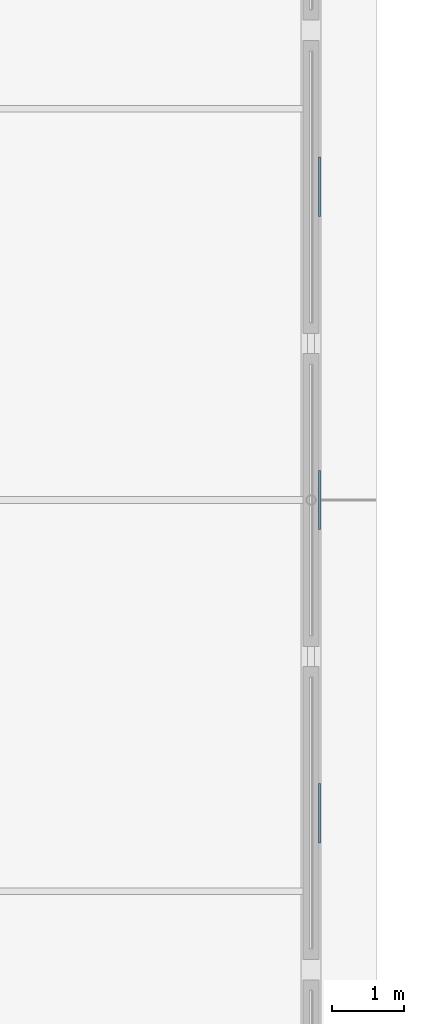
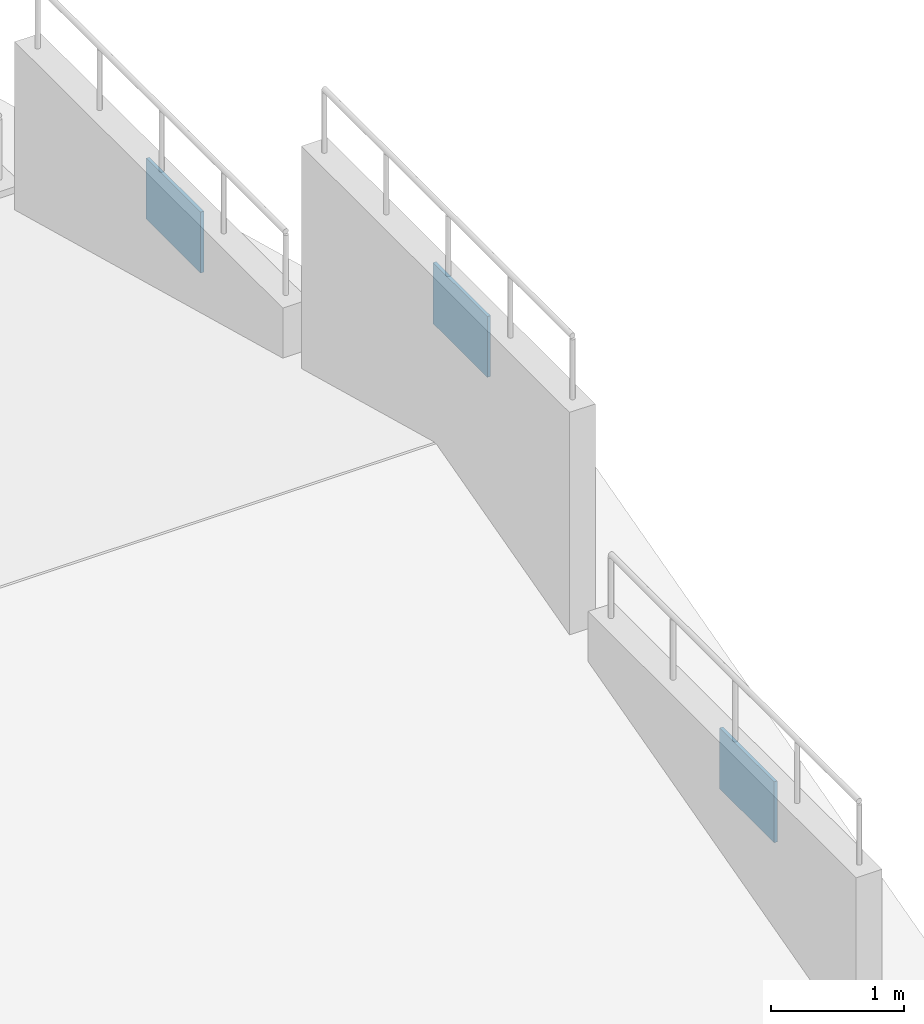
# One storey, part 85 of 124: 3 plates.
"""IFC4 building model written with IfcOpenShell, lengths in metres."""

from ifc_helpers import new_model, si_unit, direction, frame, origin, origin_2d, place, context, subcontext, project, spatial, rectangle, extrude, material, layer, layer_set, type_object, element, save


model = new_model("IFC4")

# Units and contexts
model_context = context("Model", 3, precision=1e-05, world=origin(), true_north=direction((0.0, 1.0)))
body_context = subcontext(model_context, "Body", "Model", "MODEL_VIEW")
ifc_project = project(units=[si_unit("LENGTHUNIT", "METRE"), si_unit("AREAUNIT", "SQUARE_METRE"), si_unit("VOLUMEUNIT", "CUBIC_METRE"), si_unit("PLANEANGLEUNIT", "RADIAN"), si_unit("MASSUNIT", "GRAM", prefix="KILO"), si_unit("THERMODYNAMICTEMPERATUREUNIT", "KELVIN"), si_unit("POWERUNIT", "WATT")], contexts=[model_context])

# Site, building, storey
site_placement = place(None, origin())
site = spatial("IfcSite", under=ifc_project, at=site_placement, CompositionType="ELEMENT")
building_placement = place(site_placement, origin())
building = spatial("IfcBuilding", under=site, at=building_placement, Name="Tavuni Mirador Residences", CompositionType="ELEMENT")
storey_placement = place(building_placement, frame((0.0, 0.0, 7.64990234375)))
storey = spatial("IfcBuildingStorey", under=building, at=storey_placement, Name="L02", CompositionType="ELEMENT", Elevation=7.64990234375)

# Plates
ifc_material = material(Name="Structural steel S355", Category="steel")
ifc_layer = layer(ifc_material, 0.028076171875, Name="Structural steel S355", Category="steel")
ifc_layer_set = layer_set([ifc_layer], Name="Structural steel S355")
plate_type = type_object("IfcPlateType", Name="PLT-GP09", PredefinedType="USERDEFINED", material=ifc_layer_set)
for number, where, z_axis, x_axis, name in (
    (1, (118.91650390625, 49.679931640625, 2.06005859375), (0.0, 0.0, 1.0), (0.0, 1.0, 0.0), "TRENC-PAV-NURS-X1-1"),
    (2, (118.91650390625, 54.0, 3.719970703125), (0.0, 0.0, 1.0), (0.0, 1.0, 0.0), "TRENC-PAV-NURS-X1-2"),
    (3, (118.91650390625, 58.320068359375, 2.06005859375), (0.0, 0.0, 1.0), (0.0, 1.0, 0.0), "TRENC-PAV-NURS-X1-3"),
):
    element("IfcPlate", number, at=place(storey_placement, frame(where, z_axis=z_axis, x_axis=x_axis)), inside=storey, type_object=plate_type, Name=name, ObjectType="GUSSET PLATE", PredefinedType="USERDEFINED", context=body_context, shape_type="SweptSolid", body=[
        extrude(rectangle(XDim=0.820068359375, YDim=0.028076171875, at=origin_2d()), origin(), (0.0, 0.0, 1.0), 0.56005859375),
    ])

save(model, "model.ifc")
